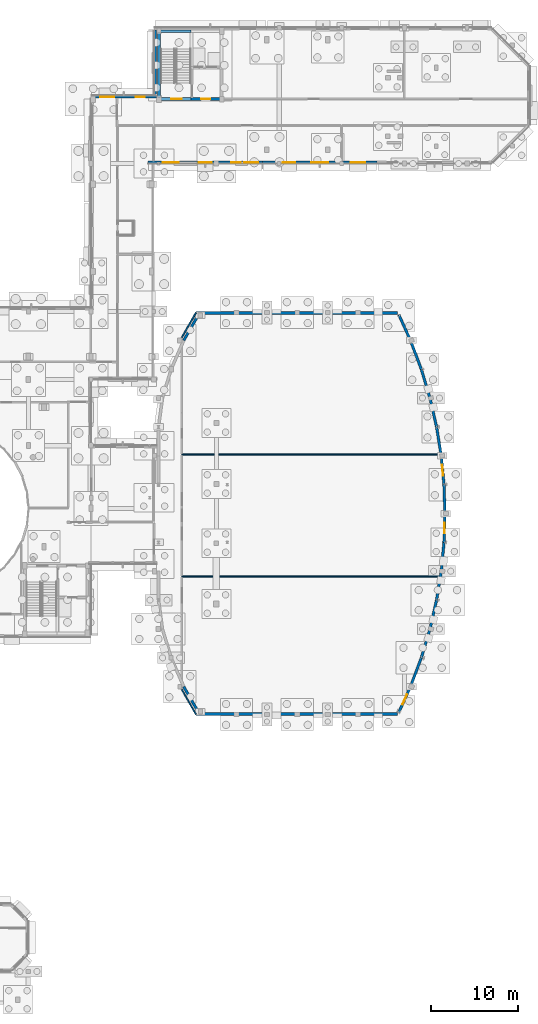
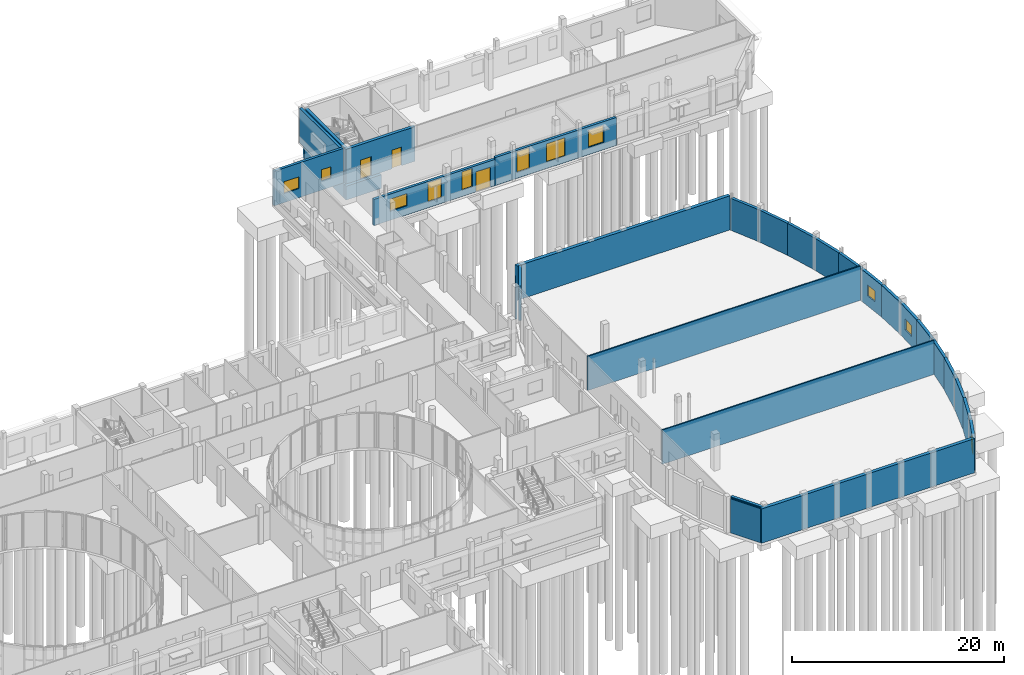
# One storey, part 75 of 93: 31 walls, 11 windows, 3 doors, 14 openings.
"""IFC4 building model written with IfcOpenShell, lengths in metres."""

from ifc_helpers import new_model, si_unit, direction, frame, frame_2d, origin, place, context, subcontext, project, spatial, rectangle, extrude, material, layer, layer_set, type_object, element, fill, save


model = new_model("IFC4")

# Units and contexts
model_context = context("Model", 3, precision=1e-05, world=origin(), true_north=direction((0.0, 1.0)))
body_context = subcontext(model_context, "Body", "Model", "MODEL_VIEW")
ifc_project = project(units=[si_unit("LENGTHUNIT", "METRE"), si_unit("AREAUNIT", "SQUARE_METRE"), si_unit("VOLUMEUNIT", "CUBIC_METRE"), si_unit("PLANEANGLEUNIT", "RADIAN"), si_unit("MASSUNIT", "GRAM", prefix="KILO")], contexts=[model_context])

# Site, building, storey
site_placement = place(None, origin())
site = spatial("IfcSite", under=ifc_project, at=site_placement, CompositionType="ELEMENT")
building_placement = place(site_placement, origin())
building = spatial("IfcBuilding", under=site, at=building_placement, Name="Kelanivale Promenade Academy", CompositionType="ELEMENT")
storey_placement = place(building_placement, origin())
storey = spatial("IfcBuildingStorey", under=building, at=storey_placement, Name="L00", CompositionType="ELEMENT", Elevation=0.0)

# Walls
ifc_material_1 = material(Name="Concrete C40/50", Category="concrete")
ifc_layer_1 = layer(ifc_material_1, 0.330078125)
ifc_layer_set_1 = layer_set([ifc_layer_1], Name="Concrete C40/50")
wall_type_1 = type_object("IfcWallType", Name="CW-S1 Wall 330mm", PredefinedType="SHEAR", material=ifc_layer_set_1)
wall_1_placement = place(storey_placement, frame((123.39990234375, 103.965087890625, -1.85009765625), z_axis=(0.0, 0.0, 1.0), x_axis=(0.0, 1.0, 0.0)))
element("IfcWall", 1, at=wall_1_placement, inside=storey, type_object=wall_type_1, Name="CORE-5 core raft starter wall", PredefinedType="SHEAR", context=body_context, shape_type="SweptSolid", body=[
    extrude(rectangle(XDim=7.469970703125, YDim=0.330078125, at=frame_2d((3.73486328125, 0.0))), origin(), (0.0, 0.0, 1.0), 1.60009765625),
])
for number, where, z_axis, x_axis, name in (
    (2, (123.235107421875, 103.800048828125, -1.85009765625), (0.0, 0.0, 1.0), (1.0, 0.0, 0.0), "CORE-5 core raft starter wall"),
    (3, (123.235107421875, 111.60009765625, -1.85009765625), (0.0, 0.0, 1.0), (1.0, 0.0, 0.0), "CORE-5 core raft starter wall"),
):
    element("IfcWall", number, at=place(storey_placement, frame(where, z_axis=z_axis, x_axis=x_axis)), inside=storey, type_object=wall_type_1, Name=name, PredefinedType="SHEAR", context=body_context, shape_type="SweptSolid", body=[
        extrude(rectangle(XDim=3.864990234375, YDim=0.330078125, at=frame_2d((1.9326171875, 0.0))), origin(), (0.0, 0.0, 1.0), 1.60009765625),
    ])

# Wall, openings, doors
wall_2_placement = place(storey_placement, frame((123.235107421875, 103.800048828125, 0.0), z_axis=(0.0, 0.0, 1.0), x_axis=(1.0, 0.0, 0.0)))
wall_2 = element("IfcWall", 4, at=wall_2_placement, inside=storey, type_object=wall_type_1, Name="CORE-5 RC shear wall S L00", PredefinedType="SHEAR", context=body_context, shape_type="SweptSolid", body=[
    extrude(rectangle(XDim=7.52978515625, YDim=0.330078125, at=frame_2d((3.764892578125, 0.0))), origin(), (0.0, 0.0, 1.0), 3.97998046875),
])
opening_1_placement = place(wall_2_placement, frame((5.014892578125, 0.0, 0.0)))
opening_1 = element("IfcOpeningElement", 5, at=opening_1_placement, cuts=wall_2, Name="Opening FD-CORE-5-LB-L00", PredefinedType="OPENING", context=body_context, shape_type="SweptSolid", body=[
    extrude(rectangle(XDim=1.050048828125, YDim=2.14990234375, at=frame_2d((0.52490234375, 1.074951171875))), frame((0.0, 0.175048828125, 0.0), z_axis=(0.0, -1.0, 0.0), x_axis=(1.0, 0.0, 0.0)), (0.0, 0.0, 1.0), 0.35009765625),
])
opening_2_placement = place(wall_2_placement, frame((1.56494140625, 0.0, 0.0)))
opening_2 = element("IfcOpeningElement", 6, at=opening_2_placement, cuts=wall_2, Name="Opening FD-CORE-5-ST-L00", PredefinedType="OPENING", context=body_context, shape_type="SweptSolid", body=[
    extrude(rectangle(XDim=1.199951171875, YDim=2.199951171875, at=frame_2d((0.60009765625, 1.10009765625))), frame((0.0, 0.175048828125, 0.0), z_axis=(0.0, -1.0, 0.0), x_axis=(1.0, 0.0, 0.0)), (0.0, 0.0, 1.0), 0.35009765625),
])
ifc_material_2 = material(Name="Fire-rated steel-core teak veneer", Category="steel")
door_type_1 = type_object("IfcDoorType", Name="DT-F02 Door 1200x2200", OperationType="NOTDEFINED", PredefinedType="DOOR", material=ifc_material_2)
door_1_placement = place(opening_2_placement, frame((1.199951171875, 0.0, 0.0), z_axis=(0.0, 0.0, 1.0), x_axis=(-1.0, 0.0, 0.0)))
door_1 = element("IfcDoor", 7, at=door_1_placement, inside=storey, type_object=door_type_1, Name="CORE-5 protected stair fire door L00", OperationType="SINGLE_SWING_RIGHT", OverallHeight=2.199951171875, OverallWidth=1.199951171875, PredefinedType="DOOR", context=body_context, shape_type="SweptSolid", body=[
    extrude(rectangle(XDim=1.199951171875, YDim=2.199951171875, at=frame_2d((0.60009765625, 1.10009765625))), frame((0.0, 0.02490234375, 0.0), z_axis=(0.0, -1.0, 0.0), x_axis=(1.0, 0.0, 0.0)), (0.0, 0.0, 1.0), 0.050048828125),
])
fill(opening_2, door_1)
door_type_2 = type_object("IfcDoorType", Name="DT-F03 Door 1050x2150", OperationType="NOTDEFINED", PredefinedType="DOOR", material=ifc_material_2)
door_2_placement = place(opening_1_placement, origin())
door_2 = element("IfcDoor", 8, at=door_2_placement, inside=storey, type_object=door_type_2, Name="CORE-5 corridor-to-lobby fire door L00", OperationType="SINGLE_SWING_LEFT", OverallHeight=2.14990234375, OverallWidth=1.050048828125, PredefinedType="DOOR", context=body_context, shape_type="SweptSolid", body=[
    extrude(rectangle(XDim=1.050048828125, YDim=2.14990234375, at=frame_2d((0.52490234375, 1.074951171875))), frame((0.0, 0.02490234375, 0.0), z_axis=(0.0, -1.0, 0.0), x_axis=(1.0, 0.0, 0.0)), (0.0, 0.0, 1.0), 0.050048828125),
])
fill(opening_1, door_2)

# Walls
wall_3_placement = place(storey_placement, frame((123.39990234375, 103.965087890625, 0.0), z_axis=(0.0, 0.0, 1.0), x_axis=(0.0, 1.0, 0.0)))
element("IfcWall", 9, at=wall_3_placement, inside=storey, type_object=wall_type_1, Name="CORE-5 RC shear wall W L00", PredefinedType="SHEAR", context=body_context, shape_type="SweptSolid", body=[
    extrude(rectangle(XDim=7.469970703125, YDim=0.330078125, at=frame_2d((3.73486328125, 0.0))), origin(), (0.0, 0.0, 1.0), 3.97998046875),
])
ifc_layer_2 = layer(ifc_material_1, 0.360107421875)
ifc_layer_set_2 = layer_set([ifc_layer_2], Name="Concrete C40/50")
wall_type_2 = type_object("IfcWallType", Name="ESW-01 Wall 360mm", PredefinedType="SHEAR", material=ifc_layer_set_2)
for number, where, z_axis, x_axis, name in (
    (10, (127.64990234375, 33.179931640625, 0.0), (0.0, 0.0, 1.0), (1.0, 0.0, 0.0), "Assembly Hall Arc Pavilion gable wall L00"),
    (11, (150.7880859375, 79.219970703125, 0.0), (0.0, 0.0, 1.0), (-1.0, 0.0, 0.0), "Assembly Hall Arc Pavilion gable wall L00"),
):
    element("IfcWall", number, at=place(storey_placement, frame(where, z_axis=z_axis, x_axis=x_axis)), inside=storey, type_object=wall_type_2, Name=name, PredefinedType="SHEAR", context=body_context, shape_type="SweptSolid", body=[
        extrude(rectangle(XDim=23.13818359375, YDim=0.360107421875, at=frame_2d((11.569091796875, 0.0))), origin(), (0.0, 0.0, 1.0), 3.93505859375),
    ])

# Wall, opening, window
ifc_material_3 = material(Name="Insulated terracotta-clad masonry wall 300 mm", Category="masonry")
ifc_layer_3 = layer(ifc_material_3, 0.300048828125)
ifc_layer_set_3 = layer_set([ifc_layer_3], Name="Insulated terracotta-clad masonry wall 300 mm")
wall_type_3 = type_object("IfcWallType", Name="EW-01 Wall 300mm", PredefinedType="SOLIDWALL", material=ifc_layer_set_3)
wall_4_placement = place(storey_placement, frame((150.9541015625, 33.364013671875, 0.0), z_axis=(0.0, 0.0, 1.0), x_axis=(0.414347666712, 0.910118679673, 0.0)))
wall_4 = element("IfcWall", 12, at=wall_4_placement, inside=storey, type_object=wall_type_3, Name="Assembly Hall Arc Pavilion curved terracotta wall L00", PredefinedType="SOLIDWALL", context=body_context, shape_type="SweptSolid", body=[
    extrude(rectangle(XDim=3.2412109375, YDim=0.300048828125, at=frame_2d((1.62060546875, 0.0))), origin(), (0.0, 0.0, 1.0), 3.679931640625),
])
opening_3_placement = place(wall_4_placement, frame((0.99609375, 0.0, 1.14990234375)))
opening_3 = element("IfcOpeningElement", 13, at=opening_3_placement, cuts=wall_4, Name="Opening WT-20", PredefinedType="OPENING", context=body_context, shape_type="SweptSolid", body=[
    extrude(rectangle(XDim=1.25, YDim=1.25, at=frame_2d((0.625, 0.625))), frame((0.0, 0.16015625, 0.0), z_axis=(0.0, -1.0, 0.0), x_axis=(1.0, 0.0, 0.0)), (0.0, 0.0, 1.0), 0.320068359375),
])
ifc_material_4 = material(Name="Bronze anodised aluminium frame with low-E laminated glass", Category="aluminium")
window_type_1 = type_object("IfcWindowType", Name="WT-20 Window 1250x1250", PartitioningType="SINGLE_PANEL", PredefinedType="WINDOW", material=ifc_material_4)
window_1_placement = place(opening_3_placement, origin())
window_1 = element("IfcWindow", 14, at=window_1_placement, inside=storey, type_object=window_type_1, Name="Window WT-20", OverallHeight=1.25, OverallWidth=1.25, PartitioningType="SINGLE_PANEL", PredefinedType="WINDOW", context=body_context, shape_type="SweptSolid", body=[
    extrude(rectangle(XDim=1.25, YDim=1.25, at=frame_2d((0.625, 0.625))), frame((0.0, 0.030029296875, 0.0), z_axis=(0.0, -1.0, 0.0), x_axis=(1.0, 0.0, 0.0)), (0.0, 0.0, 1.0), 0.06005859375),
])
fill(opening_3, window_1)

# Walls
wall_5_placement = place(storey_placement, frame((152.297119140625, 36.31396484375, 0.0), z_axis=(0.0, 0.0, 1.0), x_axis=(0.350836219137, 0.936436835746, 0.0)))
element("IfcWall", 15, at=wall_5_placement, inside=storey, type_object=wall_type_3, Name="Assembly Hall Arc Pavilion curved terracotta wall L00", PredefinedType="SOLIDWALL", context=body_context, shape_type="SweptSolid", body=[
    extrude(rectangle(XDim=3.5400390625, YDim=0.300048828125, at=frame_2d((1.77001953125, 0.0))), origin(), (0.0, 0.0, 1.0), 3.679931640625),
])
wall_6_placement = place(storey_placement, frame((153.5390625, 39.62890625, 0.0), z_axis=(0.0, 0.0, 1.0), x_axis=(0.286991798892, 0.957933039084, 0.0)))
element("IfcWall", 16, at=wall_6_placement, inside=storey, type_object=wall_type_3, Name="Assembly Hall Arc Pavilion curved terracotta wall L00", PredefinedType="SOLIDWALL", context=body_context, shape_type="SweptSolid", body=[
    extrude(rectangle(XDim=3.459716796875, YDim=0.300048828125, at=frame_2d((1.72998046875, 0.0))), origin(), (0.0, 0.0, 1.0), 3.679931640625),
])
wall_7_placement = place(storey_placement, frame((154.531982421875, 42.943115234375, 0.0), z_axis=(0.0, 0.0, 1.0), x_axis=(0.223259599234, 0.974759022195, 0.0)))
element("IfcWall", 17, at=wall_7_placement, inside=storey, type_object=wall_type_3, Name="Assembly Hall Arc Pavilion curved terracotta wall L00", PredefinedType="SOLIDWALL", context=body_context, shape_type="SweptSolid", body=[
    extrude(rectangle(XDim=3.399658203125, YDim=0.300048828125, at=frame_2d((1.69970703125, 0.0))), origin(), (0.0, 0.0, 1.0), 3.679931640625),
])
wall_8_placement = place(storey_placement, frame((155.291015625, 46.257080078125, 0.0), z_axis=(0.0, 0.0, 1.0), x_axis=(0.159349054769, 0.987222304623, 0.0)))
element("IfcWall", 18, at=wall_8_placement, inside=storey, type_object=wall_type_3, Name="Assembly Hall Arc Pavilion curved terracotta wall L00", PredefinedType="SOLIDWALL", context=body_context, shape_type="SweptSolid", body=[
    extrude(rectangle(XDim=3.35693359375, YDim=0.300048828125, at=frame_2d((1.678466796875, 0.0))), origin(), (0.0, 0.0, 1.0), 3.679931640625),
])
wall_9_placement = place(storey_placement, frame((155.825927734375, 49.571044921875, 0.0), z_axis=(0.0, 0.0, 1.0), x_axis=(0.095525216858, 0.995427010355, 0.0)))
element("IfcWall", 19, at=wall_9_placement, inside=storey, type_object=wall_type_3, Name="Assembly Hall Arc Pavilion curved terracotta wall L00", PredefinedType="SOLIDWALL", context=body_context, shape_type="SweptSolid", body=[
    extrude(rectangle(XDim=3.330078125, YDim=0.300048828125, at=frame_2d((1.6650390625, 0.0))), origin(), (0.0, 0.0, 1.0), 3.679931640625),
])

# Wall, opening, window
wall_10_placement = place(storey_placement, frame((156.14404296875, 52.885986328125, 0.0), z_axis=(0.0, 0.0, 1.0), x_axis=(0.031956559473, 0.999489258725, 0.0)))
wall_10 = element("IfcWall", 20, at=wall_10_placement, inside=storey, type_object=wall_type_3, Name="Assembly Hall Arc Pavilion curved terracotta wall L00", PredefinedType="SOLIDWALL", context=body_context, shape_type="SweptSolid", body=[
    extrude(rectangle(XDim=3.315673828125, YDim=0.300048828125, at=frame_2d((1.65771484375, 0.0))), origin(), (0.0, 0.0, 1.0), 3.679931640625),
])
opening_4_placement = place(wall_10_placement, frame((1.032958984375, 0.0, 1.14990234375)))
opening_4 = element("IfcOpeningElement", 21, at=opening_4_placement, cuts=wall_10, Name="Opening WT-20", PredefinedType="OPENING", context=body_context, shape_type="SweptSolid", body=[
    extrude(rectangle(XDim=1.25, YDim=1.25, at=frame_2d((0.625, 0.625))), frame((0.0, 0.16015625, 0.0), z_axis=(0.0, -1.0, 0.0), x_axis=(1.0, 0.0, 0.0)), (0.0, 0.0, 1.0), 0.320068359375),
])
window_2_placement = place(opening_4_placement, origin())
window_2 = element("IfcWindow", 22, at=window_2_placement, inside=storey, type_object=window_type_1, Name="Window WT-20", OverallHeight=1.25, OverallWidth=1.25, PartitioningType="SINGLE_PANEL", PredefinedType="WINDOW", context=body_context, shape_type="SweptSolid", body=[
    extrude(rectangle(XDim=1.25, YDim=1.25, at=frame_2d((0.625, 0.625))), frame((0.0, 0.030029296875, 0.0), z_axis=(0.0, -1.0, 0.0), x_axis=(1.0, 0.0, 0.0)), (0.0, 0.0, 1.0), 0.06005859375),
])
fill(opening_4, window_2)

# Wall
wall_11_placement = place(storey_placement, frame((156.25, 56.199951171875, 0.0), z_axis=(0.0, 0.0, 1.0), x_axis=(-0.031956559473, 0.999489258725, 0.0)))
element("IfcWall", 23, at=wall_11_placement, inside=storey, type_object=wall_type_3, Name="Assembly Hall Arc Pavilion curved terracotta wall L00", PredefinedType="SOLIDWALL", context=body_context, shape_type="SweptSolid", body=[
    extrude(rectangle(XDim=3.315673828125, YDim=0.300048828125, at=frame_2d((1.65771484375, 0.0))), origin(), (0.0, 0.0, 1.0), 3.679931640625),
])

# Wall, opening, window
wall_12_placement = place(storey_placement, frame((156.14404296875, 59.513916015625, 0.0), z_axis=(0.0, 0.0, 1.0), x_axis=(-0.095518246268, 0.995427679256, 0.0)))
wall_12 = element("IfcWall", 24, at=wall_12_placement, inside=storey, type_object=wall_type_3, Name="Assembly Hall Arc Pavilion curved terracotta wall L00", PredefinedType="SOLIDWALL", context=body_context, shape_type="SweptSolid", body=[
    extrude(rectangle(XDim=3.330322265625, YDim=0.300048828125, at=frame_2d((1.6650390625, 0.0))), origin(), (0.0, 0.0, 1.0), 3.679931640625),
])
opening_5_placement = place(wall_12_placement, frame((1.0400390625, 0.0, 1.14990234375)))
opening_5 = element("IfcOpeningElement", 25, at=opening_5_placement, cuts=wall_12, Name="Opening WT-20", PredefinedType="OPENING", context=body_context, shape_type="SweptSolid", body=[
    extrude(rectangle(XDim=1.25, YDim=1.25, at=frame_2d((0.625, 0.625))), frame((0.0, 0.16015625, 0.0), z_axis=(0.0, -1.0, 0.0), x_axis=(1.0, 0.0, 0.0)), (0.0, 0.0, 1.0), 0.320068359375),
])
window_3_placement = place(opening_5_placement, origin())
window_3 = element("IfcWindow", 26, at=window_3_placement, inside=storey, type_object=window_type_1, Name="Window WT-20", OverallHeight=1.25, OverallWidth=1.25, PartitioningType="SINGLE_PANEL", PredefinedType="WINDOW", context=body_context, shape_type="SweptSolid", body=[
    extrude(rectangle(XDim=1.25, YDim=1.25, at=frame_2d((0.625, 0.625))), frame((0.0, 0.030029296875, 0.0), z_axis=(0.0, -1.0, 0.0), x_axis=(1.0, 0.0, 0.0)), (0.0, 0.0, 1.0), 0.06005859375),
])
fill(opening_5, window_3)

# Walls
wall_13_placement = place(storey_placement, frame((155.825927734375, 62.8291015625, 0.0), z_axis=(0.0, 0.0, 1.0), x_axis=(-0.159349054769, 0.987222304623, 0.0)))
element("IfcWall", 27, at=wall_13_placement, inside=storey, type_object=wall_type_3, Name="Assembly Hall Arc Pavilion curved terracotta wall L00", PredefinedType="SOLIDWALL", context=body_context, shape_type="SweptSolid", body=[
    extrude(rectangle(XDim=3.35693359375, YDim=0.300048828125, at=frame_2d((1.678466796875, 0.0))), origin(), (0.0, 0.0, 1.0), 3.679931640625),
])
wall_14_placement = place(storey_placement, frame((155.291015625, 66.14306640625, 0.0), z_axis=(0.0, 0.0, 1.0), x_axis=(-0.223259599234, 0.974759022195, 0.0)))
element("IfcWall", 28, at=wall_14_placement, inside=storey, type_object=wall_type_3, Name="Assembly Hall Arc Pavilion curved terracotta wall L00", PredefinedType="SOLIDWALL", context=body_context, shape_type="SweptSolid", body=[
    extrude(rectangle(XDim=3.399658203125, YDim=0.300048828125, at=frame_2d((1.69970703125, 0.0))), origin(), (0.0, 0.0, 1.0), 3.679931640625),
])
wall_15_placement = place(storey_placement, frame((154.531982421875, 69.45703125, 0.0), z_axis=(0.0, 0.0, 1.0), x_axis=(-0.287011200065, 0.957927226379, 0.0)))
element("IfcWall", 29, at=wall_15_placement, inside=storey, type_object=wall_type_3, Name="Assembly Hall Arc Pavilion curved terracotta wall L00", PredefinedType="SOLIDWALL", context=body_context, shape_type="SweptSolid", body=[
    extrude(rectangle(XDim=3.45947265625, YDim=0.300048828125, at=frame_2d((1.729736328125, 0.0))), origin(), (0.0, 0.0, 1.0), 3.679931640625),
])
wall_16_placement = place(storey_placement, frame((153.5390625, 72.77099609375, 0.0), z_axis=(0.0, 0.0, 1.0), x_axis=(-0.350836219137, 0.936436835746, 0.0)))
element("IfcWall", 30, at=wall_16_placement, inside=storey, type_object=wall_type_3, Name="Assembly Hall Arc Pavilion curved terracotta wall L00", PredefinedType="SOLIDWALL", context=body_context, shape_type="SweptSolid", body=[
    extrude(rectangle(XDim=3.5400390625, YDim=0.300048828125, at=frame_2d((1.77001953125, 0.0))), origin(), (0.0, 0.0, 1.0), 3.679931640625),
])
wall_17_placement = place(storey_placement, frame((152.297119140625, 76.0859375, 0.0), z_axis=(0.0, 0.0, 1.0), x_axis=(-0.414347666712, 0.910118679673, 0.0)))
element("IfcWall", 31, at=wall_17_placement, inside=storey, type_object=wall_type_3, Name="Assembly Hall Arc Pavilion curved terracotta wall L00", PredefinedType="SOLIDWALL", context=body_context, shape_type="SweptSolid", body=[
    extrude(rectangle(XDim=3.2412109375, YDim=0.300048828125, at=frame_2d((1.62060546875, 0.0))), origin(), (0.0, 0.0, 1.0), 3.679931640625),
])
for number, where, z_axis, x_axis, name in (
    (32, (126.25, 36.31396484375, 0.0), (0.0, 0.0, 1.0), (0.497345429475, -0.867552605771, 0.0), "Assembly Hall Arc Pavilion inner crescent wall L00"),
    (33, (127.950927734375, 79.052978515625, 0.0), (0.0, 0.0, 1.0), (-0.497345429475, -0.867552605771, 0.0), "Assembly Hall Arc Pavilion inner crescent wall L00"),
):
    element("IfcWall", number, at=place(storey_placement, frame(where, z_axis=z_axis, x_axis=x_axis)), inside=storey, type_object=wall_type_3, Name=name, PredefinedType="SOLIDWALL", context=body_context, shape_type="SweptSolid", body=[
        extrude(rectangle(XDim=3.419921875, YDim=0.300048828125, at=frame_2d((1.7099609375, 0.0))), origin(), (0.0, 0.0, 1.0), 3.93505859375),
    ])

# Wall, openings, door, windows
ifc_material_5 = material(Name="Insulated ivory stucco masonry wall 280 mm", Category="masonry")
ifc_layer_4 = layer(ifc_material_5, 0.280029296875)
ifc_layer_set_4 = layer_set([ifc_layer_4], Name="Insulated ivory stucco masonry wall 280 mm")
wall_type_4 = type_object("IfcWallType", Name="EW-02 Wall 280mm", PredefinedType="SOLIDWALL", material=ifc_layer_set_4)
wall_18_placement = place(storey_placement, frame((122.1201171875, 96.5400390625, 0.0), z_axis=(0.0, 0.0, 1.0), x_axis=(1.0, 0.0, 0.0)))
wall_18 = element("IfcWall", 34, at=wall_18_placement, inside=storey, type_object=wall_type_4, Name="L00 exterior facade wall EW-L00-ORT-0296", PredefinedType="SOLIDWALL", context=body_context, shape_type="SweptSolid", body=[
    extrude(rectangle(XDim=13.169921875, YDim=0.280029296875, at=frame_2d((6.5849609375, 0.0))), origin(), (0.0, 0.0, 1.0), 3.014892578125),
])
opening_6_placement = place(wall_18_placement, frame((11.080078125, 0.0, 0.0)))
opening_6 = element("IfcOpeningElement", 35, at=opening_6_placement, cuts=wall_18, Name="Opening ED-06", PredefinedType="OPENING", context=body_context, shape_type="SweptSolid", body=[
    extrude(rectangle(XDim=1.60009765625, YDim=2.300048828125, at=frame_2d((0.800048828125, 1.14990234375))), frame((0.0, 0.14990234375, 0.0), z_axis=(0.0, -1.0, 0.0), x_axis=(1.0, 0.0, 0.0)), (0.0, 0.0, 1.0), 0.300048828125),
])
opening_7_placement = place(wall_18_placement, frame((1.719970703125, 0.0, 1.050048828125)))
opening_7 = element("IfcOpeningElement", 36, at=opening_7_placement, cuts=wall_18, Name="Opening WT-36", PredefinedType="OPENING", context=body_context, shape_type="SweptSolid", body=[
    extrude(rectangle(XDim=1.85009765625, YDim=1.39990234375, at=frame_2d((0.925048828125, 0.699951171875))), frame((0.0, 0.14990234375, 0.0), z_axis=(0.0, -1.0, 0.0), x_axis=(1.0, 0.0, 0.0)), (0.0, 0.0, 1.0), 0.300048828125),
])
opening_8_placement = place(wall_18_placement, frame((5.8349609375, 0.0, 0.675048828125)))
opening_8 = element("IfcOpeningElement", 37, at=opening_8_placement, cuts=wall_18, Name="Opening WT-11", PredefinedType="OPENING", context=body_context, shape_type="SweptSolid", body=[
    extrude(rectangle(XDim=1.5, YDim=2.199951171875, at=frame_2d((0.75, 1.10009765625))), frame((0.0, 0.14990234375, 0.0), z_axis=(0.0, -1.0, 0.0), x_axis=(1.0, 0.0, 0.0)), (0.0, 0.0, 1.0), 0.300048828125),
])
opening_9_placement = place(wall_18_placement, frame((9.574951171875, 0.0, 0.75)))
opening_9 = element("IfcOpeningElement", 38, at=opening_9_placement, cuts=wall_18, Name="Opening WT-17", PredefinedType="OPENING", context=body_context, shape_type="SweptSolid", body=[
    extrude(rectangle(XDim=1.10009765625, YDim=2.10009765625, at=frame_2d((0.550048828125, 1.050048828125))), frame((0.0, 0.14990234375, 0.0), z_axis=(0.0, -1.0, 0.0), x_axis=(1.0, 0.0, 0.0)), (0.0, 0.0, 1.0), 0.300048828125),
])
ifc_material_6 = material(Name="Bronze anodised aluminium and laminated glass", Category="aluminium")
door_type_3 = type_object("IfcDoorType", Name="DT-X02 Door 1600x2300", OperationType="NOTDEFINED", PredefinedType="DOOR", material=ifc_material_6)
door_3_placement = place(opening_6_placement, frame((1.60009765625, 0.0, 0.0), z_axis=(0.0, 0.0, 1.0), x_axis=(-1.0, 0.0, 0.0)))
door_3 = element("IfcDoor", 39, at=door_3_placement, inside=storey, type_object=door_type_3, Name="Science wing exit discharge door ED-06", OperationType="DOUBLE_DOOR_SINGLE_SWING", OverallHeight=2.300048828125, OverallWidth=1.60009765625, PredefinedType="DOOR", context=body_context, shape_type="SweptSolid", body=[
    extrude(rectangle(XDim=1.60009765625, YDim=2.300048828125, at=frame_2d((0.800048828125, 1.14990234375))), frame((0.0, 0.02490234375, 0.0), z_axis=(0.0, -1.0, 0.0), x_axis=(1.0, 0.0, 0.0)), (0.0, 0.0, 1.0), 0.050048828125),
])
fill(opening_6, door_3)
window_type_2 = type_object("IfcWindowType", Name="WT-11 Window 1500x2200", PartitioningType="SINGLE_PANEL", PredefinedType="WINDOW", material=ifc_material_4)
window_4_placement = place(opening_8_placement, origin())
window_4 = element("IfcWindow", 40, at=window_4_placement, inside=storey, type_object=window_type_2, Name="Window WT-11", OverallHeight=2.199951171875, OverallWidth=1.5, PartitioningType="SINGLE_PANEL", PredefinedType="WINDOW", context=body_context, shape_type="SweptSolid", body=[
    extrude(rectangle(XDim=1.5, YDim=2.199951171875, at=frame_2d((0.75, 1.10009765625))), frame((0.0, 0.030029296875, 0.0), z_axis=(0.0, -1.0, 0.0), x_axis=(1.0, 0.0, 0.0)), (0.0, 0.0, 1.0), 0.06005859375),
])
fill(opening_8, window_4)
window_type_3 = type_object("IfcWindowType", Name="WT-17 Window 1100x2100", PartitioningType="SINGLE_PANEL", PredefinedType="WINDOW", material=ifc_material_4)
window_5_placement = place(opening_9_placement, origin())
window_5 = element("IfcWindow", 41, at=window_5_placement, inside=storey, type_object=window_type_3, Name="Window WT-17", OverallHeight=2.10009765625, OverallWidth=1.10009765625, PartitioningType="SINGLE_PANEL", PredefinedType="WINDOW", context=body_context, shape_type="SweptSolid", body=[
    extrude(rectangle(XDim=1.10009765625, YDim=2.10009765625, at=frame_2d((0.550048828125, 1.050048828125))), frame((0.0, 0.030029296875, 0.0), z_axis=(0.0, -1.0, 0.0), x_axis=(1.0, 0.0, 0.0)), (0.0, 0.0, 1.0), 0.06005859375),
])
fill(opening_9, window_5)
window_type_4 = type_object("IfcWindowType", Name="WT-36 Window 1850x1400", PartitioningType="SINGLE_PANEL", PredefinedType="WINDOW", material=ifc_material_4)
window_6_placement = place(opening_7_placement, origin())
window_6 = element("IfcWindow", 42, at=window_6_placement, inside=storey, type_object=window_type_4, Name="Window WT-36", OverallHeight=1.39990234375, OverallWidth=1.85009765625, PartitioningType="SINGLE_PANEL", PredefinedType="WINDOW", context=body_context, shape_type="SweptSolid", body=[
    extrude(rectangle(XDim=1.85009765625, YDim=1.39990234375, at=frame_2d((0.925048828125, 0.699951171875))), frame((0.0, 0.030029296875, 0.0), z_axis=(0.0, -1.0, 0.0), x_axis=(1.0, 0.0, 0.0)), (0.0, 0.0, 1.0), 0.06005859375),
])
fill(opening_7, window_6)

# Wall, openings, windows
wall_19_placement = place(storey_placement, frame((135.2900390625, 96.5400390625, 0.0), z_axis=(0.0, 0.0, 1.0), x_axis=(1.0, 0.0, 0.0)))
wall_19 = element("IfcWall", 43, at=wall_19_placement, inside=storey, type_object=wall_type_4, Name="L00 exterior facade wall EW-L00-ORT-0297", PredefinedType="SOLIDWALL", context=body_context, shape_type="SweptSolid", body=[
    extrude(rectangle(XDim=13.169921875, YDim=0.280029296875, at=frame_2d((6.5849609375, 0.0))), origin(), (0.0, 0.0, 1.0), 3.215087890625),
])
opening_10_placement = place(wall_19_placement, frame((2.344970703125, 0.0, 0.675048828125)))
opening_10 = element("IfcOpeningElement", 44, at=opening_10_placement, cuts=wall_19, Name="Opening WT-13", PredefinedType="OPENING", context=body_context, shape_type="SweptSolid", body=[
    extrude(rectangle(XDim=1.39990234375, YDim=2.39990234375, at=frame_2d((0.699951171875, 1.199951171875))), frame((0.0, 0.14990234375, 0.0), z_axis=(0.0, -1.0, 0.0), x_axis=(1.0, 0.0, 0.0)), (0.0, 0.0, 1.0), 0.300048828125),
])
opening_11_placement = place(wall_19_placement, frame((5.5849609375, 0.0, 0.75)))
opening_11 = element("IfcOpeningElement", 45, at=opening_11_placement, cuts=wall_19, Name="Opening WT-14", PredefinedType="OPENING", context=body_context, shape_type="SweptSolid", body=[
    extrude(rectangle(XDim=2.0, YDim=2.10009765625, at=frame_2d((1.0, 1.050048828125))), frame((0.0, 0.14990234375, 0.0), z_axis=(0.0, -1.0, 0.0), x_axis=(1.0, 0.0, 0.0)), (0.0, 0.0, 1.0), 0.300048828125),
])
opening_12_placement = place(wall_19_placement, frame((10.14990234375, 0.0, 0.85009765625)))
opening_12 = element("IfcOpeningElement", 46, at=opening_12_placement, cuts=wall_19, Name="Opening WT-16", PredefinedType="OPENING", context=body_context, shape_type="SweptSolid", body=[
    extrude(rectangle(XDim=1.64990234375, YDim=1.949951171875, at=frame_2d((0.824951171875, 0.97509765625))), frame((0.0, 0.14990234375, 0.0), z_axis=(0.0, -1.0, 0.0), x_axis=(1.0, 0.0, 0.0)), (0.0, 0.0, 1.0), 0.300048828125),
])
window_type_5 = type_object("IfcWindowType", Name="WT-13 Window 1400x2400", PartitioningType="SINGLE_PANEL", PredefinedType="WINDOW", material=ifc_material_4)
window_7_placement = place(opening_10_placement, origin())
window_7 = element("IfcWindow", 47, at=window_7_placement, inside=storey, type_object=window_type_5, Name="Window WT-13", OverallHeight=2.39990234375, OverallWidth=1.39990234375, PartitioningType="SINGLE_PANEL", PredefinedType="WINDOW", context=body_context, shape_type="SweptSolid", body=[
    extrude(rectangle(XDim=1.39990234375, YDim=2.39990234375, at=frame_2d((0.699951171875, 1.199951171875))), frame((0.0, 0.030029296875, 0.0), z_axis=(0.0, -1.0, 0.0), x_axis=(1.0, 0.0, 0.0)), (0.0, 0.0, 1.0), 0.06005859375),
])
fill(opening_10, window_7)
window_type_6 = type_object("IfcWindowType", Name="WT-14 Window 2000x2100", PartitioningType="SINGLE_PANEL", PredefinedType="WINDOW", material=ifc_material_4)
window_8_placement = place(opening_11_placement, origin())
window_8 = element("IfcWindow", 48, at=window_8_placement, inside=storey, type_object=window_type_6, Name="Window WT-14", OverallHeight=2.10009765625, OverallWidth=2.0, PartitioningType="SINGLE_PANEL", PredefinedType="WINDOW", context=body_context, shape_type="SweptSolid", body=[
    extrude(rectangle(XDim=2.0, YDim=2.10009765625, at=frame_2d((1.0, 1.050048828125))), frame((0.0, 0.030029296875, 0.0), z_axis=(0.0, -1.0, 0.0), x_axis=(1.0, 0.0, 0.0)), (0.0, 0.0, 1.0), 0.06005859375),
])
fill(opening_11, window_8)
window_type_7 = type_object("IfcWindowType", Name="WT-16 Window 1650x1950", PartitioningType="SINGLE_PANEL", PredefinedType="WINDOW", material=ifc_material_4)
window_9_placement = place(opening_12_placement, origin())
window_9 = element("IfcWindow", 49, at=window_9_placement, inside=storey, type_object=window_type_7, Name="Window WT-16", OverallHeight=1.949951171875, OverallWidth=1.64990234375, PartitioningType="SINGLE_PANEL", PredefinedType="WINDOW", context=body_context, shape_type="SweptSolid", body=[
    extrude(rectangle(XDim=1.64990234375, YDim=1.949951171875, at=frame_2d((0.824951171875, 0.97509765625))), frame((0.0, 0.030029296875, 0.0), z_axis=(0.0, -1.0, 0.0), x_axis=(1.0, 0.0, 0.0)), (0.0, 0.0, 1.0), 0.06005859375),
])
fill(opening_12, window_9)

# Wall
wall_20_placement = place(storey_placement, frame((122.989990234375, 111.719970703125, 0.0), z_axis=(0.0, 0.0, 1.0), x_axis=(0.0, -1.0, 0.0)))
element("IfcWall", 50, at=wall_20_placement, inside=storey, type_object=wall_type_4, Name="L00 exterior facade wall EW-L00-ORT-0305", PredefinedType="SOLIDWALL", context=body_context, shape_type="SweptSolid", body=[
    extrude(rectangle(XDim=7.52001953125, YDim=0.280029296875, at=frame_2d((3.760009765625, 0.0))), origin(), (0.0, 0.0, 1.0), 3.97998046875),
])

# Wall, openings, windows
wall_21_placement = place(storey_placement, frame((123.1298828125, 104.06005859375, 0.0), z_axis=(0.0, 0.0, 1.0), x_axis=(-1.0, 0.0, 0.0)))
wall_21 = element("IfcWall", 51, at=wall_21_placement, inside=storey, type_object=wall_type_4, Name="L00 exterior facade wall EW-L00-ORT-0306", PredefinedType="SOLIDWALL", context=body_context, shape_type="SweptSolid", body=[
    extrude(rectangle(XDim=7.52978515625, YDim=0.280029296875, at=frame_2d((3.764892578125, 0.0))), origin(), (0.0, 0.0, 1.0), 3.97998046875),
])
opening_13_placement = place(wall_21_placement, frame((1.35791015625, 0.0, 1.050048828125)))
opening_13 = element("IfcOpeningElement", 52, at=opening_13_placement, cuts=wall_21, Name="Opening WT-30", PredefinedType="OPENING", context=body_context, shape_type="SweptSolid", body=[
    extrude(rectangle(XDim=1.050048828125, YDim=1.300048828125, at=frame_2d((0.52490234375, 0.64990234375))), frame((0.0, 0.14990234375, 0.0), z_axis=(0.0, -1.0, 0.0), x_axis=(1.0, 0.0, 0.0)), (0.0, 0.0, 1.0), 0.300048828125),
])
opening_14_placement = place(wall_21_placement, frame((4.847900390625, 0.0, 1.050048828125)))
opening_14 = element("IfcOpeningElement", 53, at=opening_14_placement, cuts=wall_21, Name="Opening WT-07", PredefinedType="OPENING", context=body_context, shape_type="SweptSolid", body=[
    extrude(rectangle(XDim=1.60009765625, YDim=1.35009765625, at=frame_2d((0.800048828125, 0.675048828125))), frame((0.0, 0.14990234375, 0.0), z_axis=(0.0, -1.0, 0.0), x_axis=(1.0, 0.0, 0.0)), (0.0, 0.0, 1.0), 0.300048828125),
])
window_type_8 = type_object("IfcWindowType", Name="WT-07 Window 1600x1350", PartitioningType="SINGLE_PANEL", PredefinedType="WINDOW", material=ifc_material_4)
window_10_placement = place(opening_14_placement, origin())
window_10 = element("IfcWindow", 54, at=window_10_placement, inside=storey, type_object=window_type_8, Name="Window WT-07", OverallHeight=1.35009765625, OverallWidth=1.60009765625, PartitioningType="SINGLE_PANEL", PredefinedType="WINDOW", context=body_context, shape_type="SweptSolid", body=[
    extrude(rectangle(XDim=1.60009765625, YDim=1.35009765625, at=frame_2d((0.800048828125, 0.675048828125))), frame((0.0, 0.030029296875, 0.0), z_axis=(0.0, -1.0, 0.0), x_axis=(1.0, 0.0, 0.0)), (0.0, 0.0, 1.0), 0.06005859375),
])
fill(opening_14, window_10)
window_type_9 = type_object("IfcWindowType", Name="WT-30 Window 1050x1300", PartitioningType="SINGLE_PANEL", PredefinedType="WINDOW", material=ifc_material_4)
window_11_placement = place(opening_13_placement, origin())
window_11 = element("IfcWindow", 55, at=window_11_placement, inside=storey, type_object=window_type_9, Name="Window WT-30", OverallHeight=1.300048828125, OverallWidth=1.050048828125, PartitioningType="SINGLE_PANEL", PredefinedType="WINDOW", context=body_context, shape_type="SweptSolid", body=[
    extrude(rectangle(XDim=1.050048828125, YDim=1.300048828125, at=frame_2d((0.52490234375, 0.64990234375))), frame((0.0, 0.030029296875, 0.0), z_axis=(0.0, -1.0, 0.0), x_axis=(1.0, 0.0, 0.0)), (0.0, 0.0, 1.0), 0.06005859375),
])
fill(opening_13, window_11)

# Walls
ifc_material_7 = material(Name="Acoustic gypsum-lined masonry partition 150 mm", Category="masonry")
ifc_layer_5 = layer(ifc_material_7, 0.14990234375)
ifc_layer_set_5 = layer_set([ifc_layer_5], Name="Acoustic gypsum-lined masonry partition 150 mm")
wall_type_5 = type_object("IfcWallType", Name="IW-03 Wall 150mm", PredefinedType="PARTITIONING", material=ifc_layer_set_5)
wall_22_placement = place(storey_placement, frame((127.65087890625, 79.260009765625, 0.0), z_axis=(0.0, 0.0, 1.0), x_axis=(-0.497534508733, -0.867444184152, 0.0)))
element("IfcWall", 56, at=wall_22_placement, inside=storey, type_object=wall_type_5, Name="L00 partition Orchestra Instrument Store", PredefinedType="PARTITIONING", context=body_context, shape_type="SweptSolid", body=[
    extrude(rectangle(XDim=3.2578125, YDim=0.14990234375, at=frame_2d((1.62890625, 0.0))), origin(), (0.0, 0.0, 1.0), 3.929931640625),
])
ifc_material_8 = material(Name="Acoustic double-stud gypsum board partition 140 mm", Category="masonry")
ifc_layer_6 = layer(ifc_material_8, 0.139892578125)
ifc_layer_set_6 = layer_set([ifc_layer_6], Name="Acoustic double-stud gypsum board partition 140 mm")
wall_type_6 = type_object("IfcWallType", Name="IW-04 Wall 140mm", PredefinedType="PARTITIONING", material=ifc_layer_set_6)
wall_23_placement = place(storey_placement, frame((155.5791015625, 48.969970703125, 0.0), z_axis=(0.0, 0.0, 1.0), x_axis=(-1.0, 0.0, 0.0)))
element("IfcWall", 57, at=wall_23_placement, inside=storey, type_object=wall_type_6, Name="L00 partition Music Recital Studio", PredefinedType="PARTITIONING", context=body_context, shape_type="SweptSolid", body=[
    extrude(rectangle(XDim=29.549072265625, YDim=0.139892578125, at=frame_2d((14.7744140625, 0.0))), origin(), (0.0, 0.0, 1.0), 3.929931640625),
])
wall_24_placement = place(storey_placement, frame((126.030029296875, 35.966064453125, 0.0), z_axis=(0.0, 0.0, 1.0), x_axis=(0.497502167118, -0.867462733328, 0.0)))
element("IfcWall", 58, at=wall_24_placement, inside=storey, type_object=wall_type_6, Name="L00 partition Music Recital Studio", PredefinedType="PARTITIONING", context=body_context, shape_type="SweptSolid", body=[
    extrude(rectangle(XDim=3.258056640625, YDim=0.139892578125, at=frame_2d((1.62890625, 0.0))), origin(), (0.0, 0.0, 1.0), 3.929931640625),
])
wall_25_placement = place(storey_placement, frame((155.653076171875, 62.969970703125, 0.0), z_axis=(0.0, 0.0, 1.0), x_axis=(-1.0, 0.0, 0.0)))
element("IfcWall", 59, at=wall_25_placement, inside=storey, type_object=wall_type_6, Name="L00 partition Drama Black-Box Studio", PredefinedType="PARTITIONING", context=body_context, shape_type="SweptSolid", body=[
    extrude(rectangle(XDim=29.623046875, YDim=0.139892578125, at=frame_2d((14.8115234375, 0.0))), origin(), (0.0, 0.0, 1.0), 3.929931640625),
])

save(model, "model.ifc")
